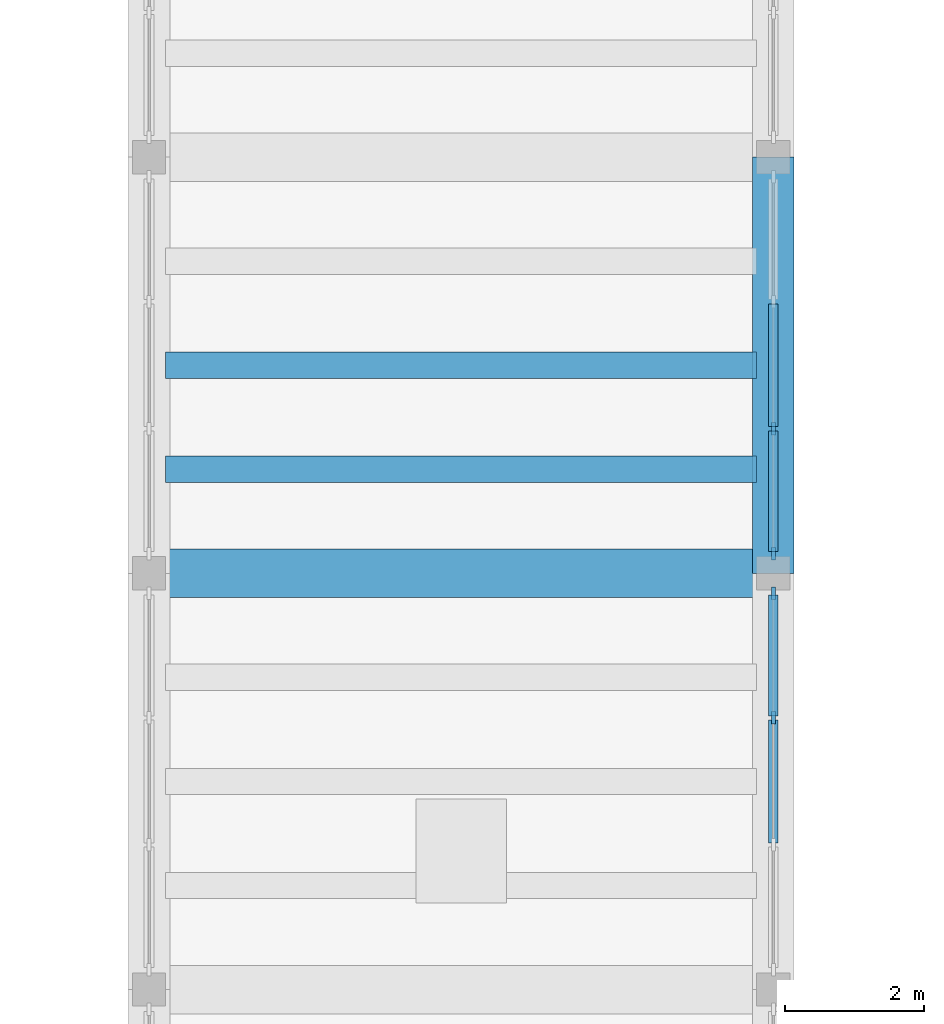
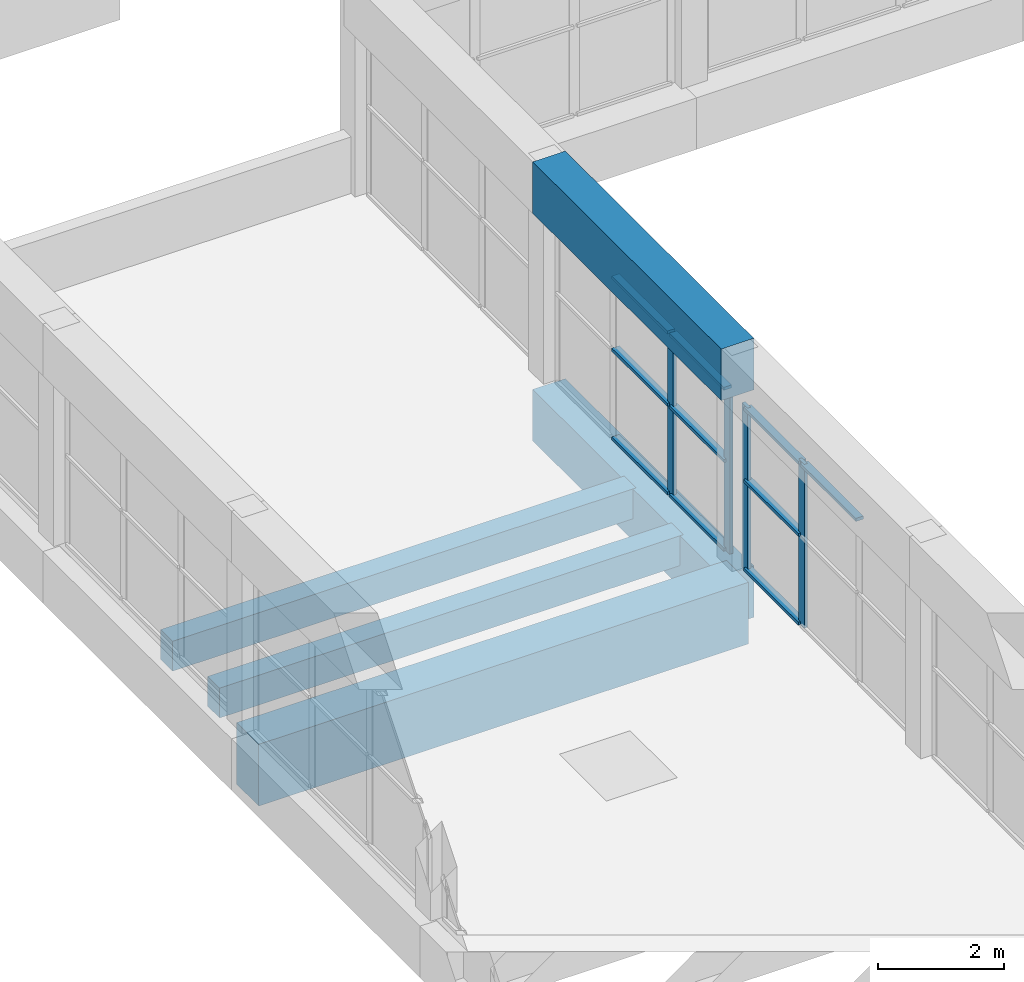
# One storey, part 12 of 70: 14 members, 5 beams, 2 elements without a shape of their own.
"""IFC4 building model written with IfcOpenShell, lengths in metres."""

from ifc_helpers import new_model, si_unit, direction, frame, origin, origin_2d, place, context, subcontext, project, spatial, rectangle, extrude, material, layer, layer_set, material_profile, profile_set, type_object, element, aggregate, save


model = new_model("IFC4")

# Units and contexts
model_context = context("Model", 3, precision=1e-05, world=origin(), true_north=direction((0.0, 1.0)))
body_context = subcontext(model_context, "Body", "Model", "MODEL_VIEW")
ifc_project = project(units=[si_unit("LENGTHUNIT", "METRE"), si_unit("AREAUNIT", "SQUARE_METRE"), si_unit("VOLUMEUNIT", "CUBIC_METRE"), si_unit("PLANEANGLEUNIT", "RADIAN"), si_unit("MASSUNIT", "GRAM", prefix="KILO")], contexts=[model_context])

# Site, building, storey
site_placement = place(None, origin())
site = spatial("IfcSite", under=ifc_project, at=site_placement, CompositionType="ELEMENT")
building_placement = place(site_placement, origin())
building = spatial("IfcBuilding", under=site, at=building_placement, Name="Solvane Community Centre", CompositionType="ELEMENT")
storey_placement = place(building_placement, frame((0.0, 0.0, 9.60009765625)))
storey = spatial("IfcBuildingStorey", under=building, at=storey_placement, Name="L02", CompositionType="ELEMENT", Elevation=9.60009765625)

# Curtain wall, members
ifc_material_1 = material(Name="Anodised bronze aluminium AW-6063 T6", Category="aluminium")
ifc_layer = layer(ifc_material_1, 0.179931640625)
ifc_layer_set = layer_set([ifc_layer], Name="Anodised bronze aluminium AW-6063 T6")
curtain_wall_type = type_object("IfcCurtainWallType", Name="Hall Translucent Upper Curtain Wall [55x32dm]", PredefinedType="NOTDEFINED", material=ifc_layer_set)
curtain_wall_1_placement = place(storey_placement, origin())
curtain_wall_1 = element("IfcCurtainWall", 1, at=curtain_wall_1_placement, inside=storey, type_object=curtain_wall_type, Name="Curtain Wall CW-L02-360_717-123", PredefinedType="NOTDEFINED")
ifc_material_profile_1 = material_profile(ifc_material_1, rectangle(XDim=0.06005859375, YDim=0.179931640625, at=origin_2d()), Name="CW-M 60x180")
ifc_profile_set_1 = profile_set([ifc_material_profile_1], Name="Anodised bronze aluminium AW-6063 T6")
member_type_1 = type_object("IfcMemberType", Name="Hall Mullion 60x180", PredefinedType="MULLION", material=ifc_profile_set_1)
member_1_placement = place(storey_placement, frame((36.0, 68.0849609375, 0.0), z_axis=(0.0, 0.0, 1.0), x_axis=(1.0, 0.0, 0.0)))
member_1 = element("IfcMember", 2, at=member_1_placement, type_object=member_type_1, Name="CW01-55x32 mullion 3", PredefinedType="MULLION", context=body_context, shape_type="SweptSolid", body=[
    extrude(rectangle(XDim=0.06005859375, YDim=0.179931640625, at=origin_2d()), origin(), (0.0, 0.0, 1.0), 3.184814453125),
])
member_2_placement = place(storey_placement, frame((36.0, 66.284912109375, 0.0), z_axis=(0.0, 0.0, 1.0), x_axis=(1.0, 0.0, 0.0)))
member_2 = element("IfcMember", 3, at=member_2_placement, type_object=member_type_1, Name="CW01-55x32 mullion 4", PredefinedType="MULLION", context=body_context, shape_type="SweptSolid", body=[
    extrude(rectangle(XDim=0.06005859375, YDim=0.179931640625, at=origin_2d()), origin(), (0.0, 0.0, 1.0), 3.184814453125),
])

curtain_wall_2_placement = place(storey_placement, origin())
curtain_wall_2 = element("IfcCurtainWall", 4, at=curtain_wall_2_placement, inside=storey, type_object=curtain_wall_type, Name="Curtain Wall CW-L02-360_657-124", PredefinedType="NOTDEFINED")
member_3_placement = place(storey_placement, frame((36.0, 65.715087890625, 0.0), z_axis=(0.0, 0.0, 1.0), x_axis=(1.0, 0.0, 0.0)))
member_3 = element("IfcMember", 5, at=member_3_placement, type_object=member_type_1, Name="CW01-55x32 mullion 1", PredefinedType="MULLION", context=body_context, shape_type="SweptSolid", body=[
    extrude(rectangle(XDim=0.06005859375, YDim=0.179931640625, at=origin_2d()), origin(), (0.0, 0.0, 1.0), 3.184814453125),
])
member_4_placement = place(storey_placement, frame((36.0, 63.9150390625, 0.0), z_axis=(0.0, 0.0, 1.0), x_axis=(1.0, 0.0, 0.0)))
member_4 = element("IfcMember", 6, at=member_4_placement, type_object=member_type_1, Name="CW01-55x32 mullion 2", PredefinedType="MULLION", context=body_context, shape_type="SweptSolid", body=[
    extrude(rectangle(XDim=0.06005859375, YDim=0.179931640625, at=origin_2d()), origin(), (0.0, 0.0, 1.0), 3.184814453125),
])

# Member
ifc_material_profile_2 = material_profile(ifc_material_1, rectangle(XDim=0.139892578125, YDim=0.06005859375, at=origin_2d()), Name="CW-T 60x140")
ifc_profile_set_2 = profile_set([ifc_material_profile_2], Name="Anodised bronze aluminium AW-6063 T6")
member_type_2 = type_object("IfcMemberType", Name="Hall Transom 60x140", PredefinedType="USERDEFINED", material=ifc_profile_set_2)
member_5_placement = place(storey_placement, frame((36.0, 69.885009765625, 0.02978515625), z_axis=(0.0, -1.0, 0.0), x_axis=(1.0, 0.0, 0.0)))
member_5 = element("IfcMember", 7, at=member_5_placement, type_object=member_type_2, Name="CW01-55x32 transom 2.1", ObjectType="TRANSOM", PredefinedType="USERDEFINED", context=body_context, shape_type="SweptSolid", body=[
    extrude(rectangle(XDim=0.139892578125, YDim=0.06005859375, at=origin_2d()), origin(), (0.0, 0.0, 1.0), 1.77001953125),
])

member_6_placement = place(storey_placement, frame((36.0, 69.885009765625, 1.751953125), z_axis=(0.0, -1.0, 0.0), x_axis=(1.0, 0.0, 0.0)))
member_6 = element("IfcMember", 8, at=member_6_placement, type_object=member_type_2, Name="CW01-55x32 transom 2.2", ObjectType="TRANSOM", PredefinedType="USERDEFINED", context=body_context, shape_type="SweptSolid", body=[
    extrude(rectangle(XDim=0.139892578125, YDim=0.06005859375, at=origin_2d()), origin(), (0.0, 0.0, 1.0), 1.77001953125),
])

member_7_placement = place(storey_placement, frame((36.0, 69.885009765625, 3.15478515625), z_axis=(0.0, -1.0, 0.0), x_axis=(1.0, 0.0, 0.0)))
member_7 = element("IfcMember", 9, at=member_7_placement, type_object=member_type_2, Name="CW01-55x32 transom 2.3", ObjectType="TRANSOM", PredefinedType="USERDEFINED", context=body_context, shape_type="SweptSolid", body=[
    extrude(rectangle(XDim=0.139892578125, YDim=0.06005859375, at=origin_2d()), origin(), (0.0, 0.0, 1.0), 1.77001953125),
])

member_8_placement = place(storey_placement, frame((36.0, 68.054931640625, 0.02978515625), z_axis=(0.0, -1.0, 0.0), x_axis=(1.0, 0.0, 0.0)))
member_8 = element("IfcMember", 10, at=member_8_placement, type_object=member_type_2, Name="CW01-55x32 transom 3.1", ObjectType="TRANSOM", PredefinedType="USERDEFINED", context=body_context, shape_type="SweptSolid", body=[
    extrude(rectangle(XDim=0.139892578125, YDim=0.06005859375, at=origin_2d()), origin(), (0.0, 0.0, 1.0), 1.739990234375),
])

member_9_placement = place(storey_placement, frame((36.0, 68.054931640625, 1.751953125), z_axis=(0.0, -1.0, 0.0), x_axis=(1.0, 0.0, 0.0)))
member_9 = element("IfcMember", 11, at=member_9_placement, type_object=member_type_2, Name="CW01-55x32 transom 3.2", ObjectType="TRANSOM", PredefinedType="USERDEFINED", context=body_context, shape_type="SweptSolid", body=[
    extrude(rectangle(XDim=0.139892578125, YDim=0.06005859375, at=origin_2d()), origin(), (0.0, 0.0, 1.0), 1.739990234375),
])

member_10_placement = place(storey_placement, frame((36.0, 68.054931640625, 3.15478515625), z_axis=(0.0, -1.0, 0.0), x_axis=(1.0, 0.0, 0.0)))
member_10 = element("IfcMember", 12, at=member_10_placement, type_object=member_type_2, Name="CW01-55x32 transom 3.3", ObjectType="TRANSOM", PredefinedType="USERDEFINED", context=body_context, shape_type="SweptSolid", body=[
    extrude(rectangle(XDim=0.139892578125, YDim=0.06005859375, at=origin_2d()), origin(), (0.0, 0.0, 1.0), 1.739990234375),
])

aggregate(curtain_wall_1, [member_1, member_2, member_5, member_6, member_7, member_8, member_9, member_10])

member_11_placement = place(storey_placement, frame((36.0, 65.68505859375, 0.02978515625), z_axis=(0.0, -1.0, 0.0), x_axis=(1.0, 0.0, 0.0)))
member_11 = element("IfcMember", 13, at=member_11_placement, type_object=member_type_2, Name="CW01-55x32 transom 1.1", ObjectType="TRANSOM", PredefinedType="USERDEFINED", context=body_context, shape_type="SweptSolid", body=[
    extrude(rectangle(XDim=0.139892578125, YDim=0.06005859375, at=origin_2d()), origin(), (0.0, 0.0, 1.0), 1.739990234375),
])

member_12_placement = place(storey_placement, frame((36.0, 65.68505859375, 1.751953125), z_axis=(0.0, -1.0, 0.0), x_axis=(1.0, 0.0, 0.0)))
member_12 = element("IfcMember", 14, at=member_12_placement, type_object=member_type_2, Name="CW01-55x32 transom 1.2", ObjectType="TRANSOM", PredefinedType="USERDEFINED", context=body_context, shape_type="SweptSolid", body=[
    extrude(rectangle(XDim=0.139892578125, YDim=0.06005859375, at=origin_2d()), origin(), (0.0, 0.0, 1.0), 1.739990234375),
])

member_13_placement = place(storey_placement, frame((36.0, 65.68505859375, 3.15478515625), z_axis=(0.0, -1.0, 0.0), x_axis=(1.0, 0.0, 0.0)))
member_13 = element("IfcMember", 15, at=member_13_placement, type_object=member_type_2, Name="CW01-55x32 transom 1.3", ObjectType="TRANSOM", PredefinedType="USERDEFINED", context=body_context, shape_type="SweptSolid", body=[
    extrude(rectangle(XDim=0.139892578125, YDim=0.06005859375, at=origin_2d()), origin(), (0.0, 0.0, 1.0), 1.739990234375),
])

member_14_placement = place(storey_placement, frame((36.0, 63.885009765625, 3.15478515625), z_axis=(0.0, -1.0, 0.0), x_axis=(1.0, 0.0, 0.0)))
member_14 = element("IfcMember", 16, at=member_14_placement, type_object=member_type_2, Name="CW01-55x32 transom 2.3", ObjectType="TRANSOM", PredefinedType="USERDEFINED", context=body_context, shape_type="SweptSolid", body=[
    extrude(rectangle(XDim=0.139892578125, YDim=0.06005859375, at=origin_2d()), origin(), (0.0, 0.0, 1.0), 1.77001953125),
])

aggregate(curtain_wall_2, [member_3, member_4, member_11, member_12, member_13, member_14])

# Beams
ifc_material_2 = material(Name="Concrete C35/45", Category="concrete")
ifc_material_profile_3 = material_profile(ifc_material_2, rectangle(XDim=0.3798828125, YDim=0.580078125, at=origin_2d()), Name="RC 380x580")
ifc_profile_set_3 = profile_set([ifc_material_profile_3], Name="Concrete C35/45")
beam_type_1 = type_object("IfcBeamType", Name="RC Short Joist 380x580", PredefinedType="JOIST", material=ifc_profile_set_3)
for number, where, z_axis, x_axis, name in (
    (17, (27.239990234375, 67.5, -0.510009765625), (1.0, 0.0, 0.0), (0.0, 1.0, 0.0), "Beam BM-L02-272_675-358_675"),
    (18, (27.239990234375, 69.0, -0.510009765625), (1.0, 0.0, 0.0), (0.0, 1.0, 0.0), "Beam BM-L02-272_690-358_690"),
):
    element("IfcBeam", number, at=place(storey_placement, frame(where, z_axis=z_axis, x_axis=x_axis)), inside=storey, type_object=beam_type_1, Name=name, PredefinedType="JOIST", context=body_context, shape_type="SweptSolid", body=[
        extrude(rectangle(XDim=0.3798828125, YDim=0.580078125, at=origin_2d()), origin(), (0.0, 0.0, 1.0), 8.52001953125),
    ])
ifc_material_profile_4 = material_profile(ifc_material_2, rectangle(XDim=0.699951171875, YDim=1.199951171875, at=origin_2d()), Name="RC 700x1200")
ifc_profile_set_4 = profile_set([ifc_material_profile_4], Name="Concrete C35/45")
beam_type_2 = type_object("IfcBeamType", Name="RC Transfer Girder 700x1200", PredefinedType="USERDEFINED", material=ifc_profile_set_4)
beam_placement = place(storey_placement, frame((27.0, 66.0, -0.820068359375), z_axis=(1.0, 0.0, 0.0), x_axis=(0.0, 1.0, 0.0)))
element("IfcBeam", 19, at=beam_placement, inside=storey, type_object=beam_type_2, Name="Beam BM-L02-270_660-360_660", ObjectType="GIRDER", PredefinedType="USERDEFINED", context=body_context, shape_type="SweptSolid", body=[
    extrude(rectangle(XDim=0.699951171875, YDim=1.199951171875, at=origin_2d()), origin(), (0.0, 0.0, 1.0), 9.0),
])
ifc_material_profile_5 = material_profile(ifc_material_2, rectangle(XDim=0.60009765625, YDim=1.0, at=origin_2d()), Name="RC 600x1000")
ifc_profile_set_5 = profile_set([ifc_material_profile_5], Name="Concrete C35/45")
beam_type_3 = type_object("IfcBeamType", Name="RC Vault Thrust Ring Girder 600x1000", PredefinedType="USERDEFINED", material=ifc_profile_set_5)
for number, where, z_axis, x_axis, name in (
    (20, (36.0, 66.0, -0.72021484375), (0.0, 1.0, 0.0), (-1.0, 0.0, 0.0), "Beam BM-L02-360_660-360_720"),
    (21, (36.0, 66.0, 3.699951171875), (0.0, 1.0, 0.0), (-1.0, 0.0, 0.0), "Beam BM-L02-360_660-360_720-1453"),
):
    element("IfcBeam", number, at=place(storey_placement, frame(where, z_axis=z_axis, x_axis=x_axis)), inside=storey, type_object=beam_type_3, Name=name, ObjectType="GIRDER", PredefinedType="USERDEFINED", context=body_context, shape_type="SweptSolid", body=[
        extrude(rectangle(XDim=0.60009765625, YDim=1.0, at=origin_2d()), origin(), (0.0, 0.0, 1.0), 6.0),
    ])

save(model, "model.ifc")
